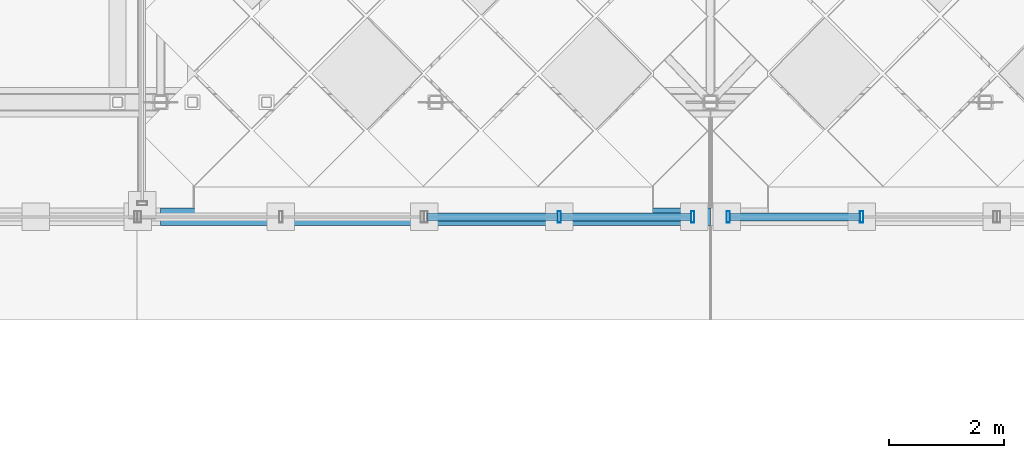
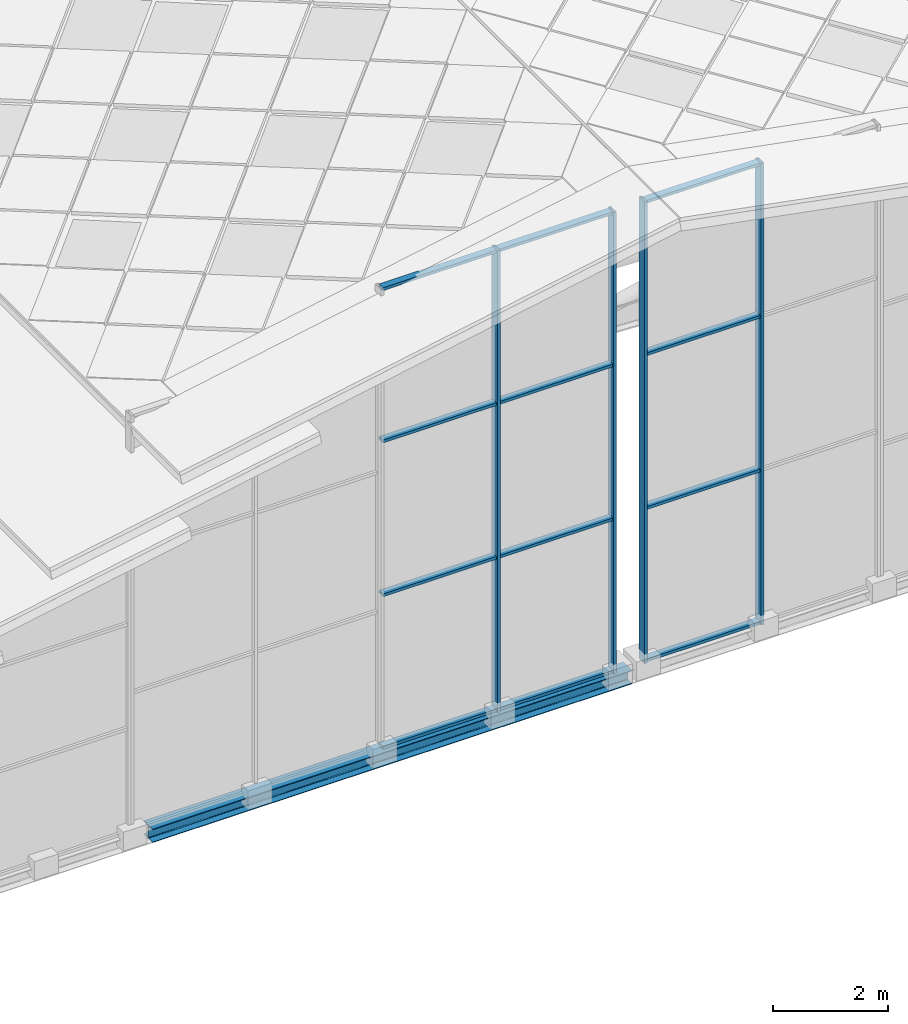
# One storey, part 3 of 117: 16 members, 1 beam, 2 elements without a shape of their own.
"""IFC4 building model written with IfcOpenShell, lengths in metres."""

from ifc_helpers import new_model, si_unit, direction, frame, origin, origin_2d, place, context, subcontext, project, spatial, hollow_rectangle, i_section, extrude, material, material_profile, profile_set, type_object, element, aggregate, save


model = new_model("IFC4")

# Units and contexts
model_context = context("Model", 3, precision=1e-05, world=origin(), true_north=direction((0.0, 1.0)))
body_context = subcontext(model_context, "Body", "Model", "MODEL_VIEW")
ifc_project = project(units=[si_unit("LENGTHUNIT", "METRE"), si_unit("AREAUNIT", "SQUARE_METRE"), si_unit("VOLUMEUNIT", "CUBIC_METRE"), si_unit("PLANEANGLEUNIT", "RADIAN"), si_unit("MASSUNIT", "GRAM", prefix="KILO")], contexts=[model_context])

# Site, building, storey
site_placement = place(None, origin())
site = spatial("IfcSite", under=ifc_project, at=site_placement, CompositionType="ELEMENT")
building_placement = place(site_placement, origin())
building = spatial("IfcBuilding", under=site, at=building_placement, Name="Merenkruunu Market Hall", CompositionType="ELEMENT")
storey_placement = place(building_placement, frame((0.0, 0.0, 22.800048828125)))
storey = spatial("IfcBuildingStorey", under=building, at=storey_placement, Name="RF", CompositionType="ELEMENT", Elevation=22.800048828125)

# Curtain wall, members
ifc_material_1 = material(Name="Powder-coated aluminium", Category="aluminium")
curtain_wall_type = type_object("IfcCurtainWallType", Name="Glazed Curtain Wall CW18", PredefinedType="USERDEFINED", material=ifc_material_1)
curtain_wall_1_placement = place(storey_placement, origin())
curtain_wall_1 = element("IfcCurtainWall", 1, at=curtain_wall_1_placement, inside=storey, type_object=curtain_wall_type, Name="CW-RF-CWM03-043", ObjectType="GLAZED_FACADE", PredefinedType="USERDEFINED")
ifc_material_profile_1 = material_profile(ifc_material_1, hollow_rectangle(XDim=0.06005859375, YDim=0.199951171875, WallThickness=0.0048828125, at=origin_2d()), Name="ALU 60x200x5")
ifc_profile_set_1 = profile_set([ifc_material_profile_1], Name="Powder-coated aluminium")
member_type_1 = type_object("IfcMemberType", Name="Curtain Wall Mullion CWM03", PredefinedType="MULLION", material=ifc_profile_set_1)
member_1_placement = place(storey_placement, frame((28.489990234375, 15.60009765625, -8.68994140625), z_axis=(0.0, 0.0, 1.0), x_axis=(-1.0, 0.0, 0.0)))
member_1 = element("IfcMember", 2, at=member_1_placement, type_object=member_type_1, Name="CW18 mullion 1", PredefinedType="MULLION", context=body_context, shape_type="SweptSolid", body=[
    extrude(hollow_rectangle(XDim=0.06005859375, YDim=0.199951171875, WallThickness=0.0048828125, at=origin_2d()), origin(), (0.0, 0.0, 1.0), 9.769775390625),
])
member_2_placement = place(storey_placement, frame((26.159912109375, 15.60009765625, -8.68994140625), z_axis=(0.0, 0.0, 1.0), x_axis=(-1.0, 0.0, 0.0)))
member_2 = element("IfcMember", 3, at=member_2_placement, type_object=member_type_1, Name="CW18 mullion 2", PredefinedType="MULLION", context=body_context, shape_type="SweptSolid", body=[
    extrude(hollow_rectangle(XDim=0.06005859375, YDim=0.199951171875, WallThickness=0.0048828125, at=origin_2d()), origin(), (0.0, 0.0, 1.0), 9.769775390625),
])

curtain_wall_2_placement = place(storey_placement, origin())
curtain_wall_2 = element("IfcCurtainWall", 4, at=curtain_wall_2_placement, inside=storey, type_object=curtain_wall_type, Name="CW-RF-CWM03-044", ObjectType="GLAZED_FACADE", PredefinedType="USERDEFINED")
member_3_placement = place(storey_placement, frame((31.43994140625, 15.60009765625, -8.68994140625), z_axis=(0.0, 0.0, 1.0), x_axis=(-1.0, 0.0, 0.0)))
member_3 = element("IfcMember", 5, at=member_3_placement, type_object=member_type_1, Name="CW18 mullion 2", PredefinedType="MULLION", context=body_context, shape_type="SweptSolid", body=[
    extrude(hollow_rectangle(XDim=0.06005859375, YDim=0.199951171875, WallThickness=0.0048828125, at=origin_2d()), origin(), (0.0, 0.0, 1.0), 9.769775390625),
])
member_4_placement = place(storey_placement, frame((29.110107421875, 15.60009765625, -8.68994140625), z_axis=(0.0, 0.0, 1.0), x_axis=(-1.0, 0.0, 0.0)))
member_4 = element("IfcMember", 6, at=member_4_placement, type_object=member_type_1, Name="CW18 mullion 3", PredefinedType="MULLION", context=body_context, shape_type="SweptSolid", body=[
    extrude(hollow_rectangle(XDim=0.06005859375, YDim=0.199951171875, WallThickness=0.0048828125, at=origin_2d()), origin(), (0.0, 0.0, 1.0), 9.769775390625),
])

# Member
ifc_material_profile_2 = material_profile(ifc_material_1, hollow_rectangle(XDim=0.06005859375, YDim=0.139892578125, WallThickness=0.00390625, at=origin_2d()), Name="ALU 60x140x4")
ifc_profile_set_2 = profile_set([ifc_material_profile_2], Name="Powder-coated aluminium")
member_type_2 = type_object("IfcMemberType", Name="Curtain Wall Transom CWT02", PredefinedType="USERDEFINED", material=ifc_profile_set_2)
member_5_placement = place(storey_placement, frame((28.4599609375, 15.60009765625, -8.66015625), z_axis=(-1.0, 0.0, 0.0), x_axis=(0.0, 0.0, 1.0)))
member_5 = element("IfcMember", 7, at=member_5_placement, type_object=member_type_2, Name="CW18 transom 1.1", ObjectType="TRANSOM", PredefinedType="USERDEFINED", context=body_context, shape_type="SweptSolid", body=[
    extrude(hollow_rectangle(XDim=0.06005859375, YDim=0.139892578125, WallThickness=0.00390625, at=origin_2d()), origin(), (0.0, 0.0, 1.0), 2.27001953125),
])

member_6_placement = place(storey_placement, frame((28.4599609375, 15.60009765625, -5.43310546875), z_axis=(-1.0, 0.0, 0.0), x_axis=(0.0, 0.0, 1.0)))
member_6 = element("IfcMember", 8, at=member_6_placement, type_object=member_type_2, Name="CW18 transom 1.2", ObjectType="TRANSOM", PredefinedType="USERDEFINED", context=body_context, shape_type="SweptSolid", body=[
    extrude(hollow_rectangle(XDim=0.06005859375, YDim=0.139892578125, WallThickness=0.00390625, at=origin_2d()), origin(), (0.0, 0.0, 1.0), 2.27001953125),
])

member_7_placement = place(storey_placement, frame((28.4599609375, 15.60009765625, -2.177001953125), z_axis=(-1.0, 0.0, 0.0), x_axis=(0.0, 0.0, 1.0)))
member_7 = element("IfcMember", 9, at=member_7_placement, type_object=member_type_2, Name="CW18 transom 1.3", ObjectType="TRANSOM", PredefinedType="USERDEFINED", context=body_context, shape_type="SweptSolid", body=[
    extrude(hollow_rectangle(XDim=0.06005859375, YDim=0.139892578125, WallThickness=0.00390625, at=origin_2d()), origin(), (0.0, 0.0, 1.0), 2.27001953125),
])

member_8_placement = place(storey_placement, frame((28.4599609375, 15.60009765625, 1.050048828125), z_axis=(-1.0, 0.0, 0.0), x_axis=(0.0, 0.0, 1.0)))
member_8 = element("IfcMember", 10, at=member_8_placement, type_object=member_type_2, Name="CW18 transom 1.4", ObjectType="TRANSOM", PredefinedType="USERDEFINED", context=body_context, shape_type="SweptSolid", body=[
    extrude(hollow_rectangle(XDim=0.06005859375, YDim=0.139892578125, WallThickness=0.00390625, at=origin_2d()), origin(), (0.0, 0.0, 1.0), 2.27001953125),
])

member_9_placement = place(storey_placement, frame((26.1298828125, 15.60009765625, -8.66015625), z_axis=(-1.0, 0.0, 0.0), x_axis=(0.0, 0.0, 1.0)))
member_9 = element("IfcMember", 11, at=member_9_placement, type_object=member_type_2, Name="CW18 transom 2.1", ObjectType="TRANSOM", PredefinedType="USERDEFINED", context=body_context, shape_type="SweptSolid", body=[
    extrude(hollow_rectangle(XDim=0.06005859375, YDim=0.139892578125, WallThickness=0.00390625, at=origin_2d()), origin(), (0.0, 0.0, 1.0), 2.269775390625),
])

member_10_placement = place(storey_placement, frame((26.1298828125, 15.60009765625, -5.43310546875), z_axis=(-1.0, 0.0, 0.0), x_axis=(0.0, 0.0, 1.0)))
member_10 = element("IfcMember", 12, at=member_10_placement, type_object=member_type_2, Name="CW18 transom 2.2", ObjectType="TRANSOM", PredefinedType="USERDEFINED", context=body_context, shape_type="SweptSolid", body=[
    extrude(hollow_rectangle(XDim=0.06005859375, YDim=0.139892578125, WallThickness=0.00390625, at=origin_2d()), origin(), (0.0, 0.0, 1.0), 2.269775390625),
])

member_11_placement = place(storey_placement, frame((26.1298828125, 15.60009765625, -2.177001953125), z_axis=(-1.0, 0.0, 0.0), x_axis=(0.0, 0.0, 1.0)))
member_11 = element("IfcMember", 13, at=member_11_placement, type_object=member_type_2, Name="CW18 transom 2.3", ObjectType="TRANSOM", PredefinedType="USERDEFINED", context=body_context, shape_type="SweptSolid", body=[
    extrude(hollow_rectangle(XDim=0.06005859375, YDim=0.139892578125, WallThickness=0.00390625, at=origin_2d()), origin(), (0.0, 0.0, 1.0), 2.269775390625),
])

member_12_placement = place(storey_placement, frame((26.1298828125, 15.60009765625, 1.050048828125), z_axis=(-1.0, 0.0, 0.0), x_axis=(0.0, 0.0, 1.0)))
member_12 = element("IfcMember", 14, at=member_12_placement, type_object=member_type_2, Name="CW18 transom 2.4", ObjectType="TRANSOM", PredefinedType="USERDEFINED", context=body_context, shape_type="SweptSolid", body=[
    extrude(hollow_rectangle(XDim=0.06005859375, YDim=0.139892578125, WallThickness=0.00390625, at=origin_2d()), origin(), (0.0, 0.0, 1.0), 2.269775390625),
])

aggregate(curtain_wall_1, [member_1, member_2, member_5, member_6, member_7, member_8, member_9, member_10, member_11, member_12])

member_13_placement = place(storey_placement, frame((31.409912109375, 15.60009765625, -8.66015625), z_axis=(-1.0, 0.0, 0.0), x_axis=(0.0, 0.0, 1.0)))
member_13 = element("IfcMember", 15, at=member_13_placement, type_object=member_type_2, Name="CW18 transom 2.1", ObjectType="TRANSOM", PredefinedType="USERDEFINED", context=body_context, shape_type="SweptSolid", body=[
    extrude(hollow_rectangle(XDim=0.06005859375, YDim=0.139892578125, WallThickness=0.00390625, at=origin_2d()), origin(), (0.0, 0.0, 1.0), 2.27001953125),
])

member_14_placement = place(storey_placement, frame((31.409912109375, 15.60009765625, -5.43310546875), z_axis=(-1.0, 0.0, 0.0), x_axis=(0.0, 0.0, 1.0)))
member_14 = element("IfcMember", 16, at=member_14_placement, type_object=member_type_2, Name="CW18 transom 2.2", ObjectType="TRANSOM", PredefinedType="USERDEFINED", context=body_context, shape_type="SweptSolid", body=[
    extrude(hollow_rectangle(XDim=0.06005859375, YDim=0.139892578125, WallThickness=0.00390625, at=origin_2d()), origin(), (0.0, 0.0, 1.0), 2.27001953125),
])

member_15_placement = place(storey_placement, frame((31.409912109375, 15.60009765625, -2.177001953125), z_axis=(-1.0, 0.0, 0.0), x_axis=(0.0, 0.0, 1.0)))
member_15 = element("IfcMember", 17, at=member_15_placement, type_object=member_type_2, Name="CW18 transom 2.3", ObjectType="TRANSOM", PredefinedType="USERDEFINED", context=body_context, shape_type="SweptSolid", body=[
    extrude(hollow_rectangle(XDim=0.06005859375, YDim=0.139892578125, WallThickness=0.00390625, at=origin_2d()), origin(), (0.0, 0.0, 1.0), 2.27001953125),
])

member_16_placement = place(storey_placement, frame((31.409912109375, 15.60009765625, 1.050048828125), z_axis=(-1.0, 0.0, 0.0), x_axis=(0.0, 0.0, 1.0)))
member_16 = element("IfcMember", 18, at=member_16_placement, type_object=member_type_2, Name="CW18 transom 2.4", ObjectType="TRANSOM", PredefinedType="USERDEFINED", context=body_context, shape_type="SweptSolid", body=[
    extrude(hollow_rectangle(XDim=0.06005859375, YDim=0.139892578125, WallThickness=0.00390625, at=origin_2d()), origin(), (0.0, 0.0, 1.0), 2.27001953125),
])

aggregate(curtain_wall_2, [member_3, member_4, member_13, member_14, member_15, member_16])

# Beam
ifc_material_2 = material(Name="Steel S355J2", Category="steel")
ifc_material_profile_3 = material_profile(ifc_material_2, i_section(OverallWidth=0.300048828125, OverallDepth=0.2900390625, WebThickness=0.008544921875, FlangeThickness=0.013916015625, FilletRadius=0.027099609375, at=origin_2d()), Name="HEA 300")
ifc_profile_set_3 = profile_set([ifc_material_profile_3], Name="Steel S355J2")
beam_type = type_object("IfcBeamType", Name="Primary Floor Girder B09", PredefinedType="BEAM", material=ifc_profile_set_3)
beam_placement = place(storey_placement, frame((19.199951171875, 15.60009765625, -8.844970703125), z_axis=(1.0, 0.0, 0.0), x_axis=(0.0, 1.0, 0.0)))
element("IfcBeam", 19, at=beam_placement, inside=storey, type_object=beam_type, Name="BM-RF-B09-1248", PredefinedType="BEAM", context=body_context, shape_type="SweptSolid", body=[
    extrude(i_section(OverallWidth=0.300048828125, OverallDepth=0.2900390625, WebThickness=0.008544921875, FlangeThickness=0.013916015625, FilletRadius=0.027099609375, at=origin_2d()), origin(), (0.0, 0.0, 1.0), 9.60009765625),
])

save(model, "model.ifc")
